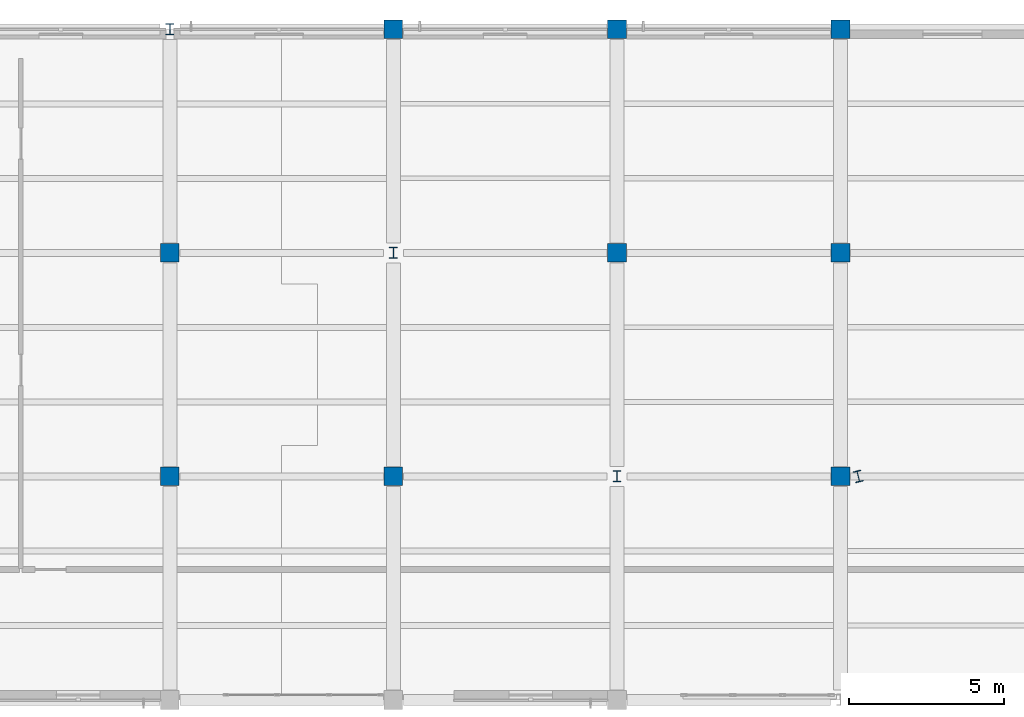
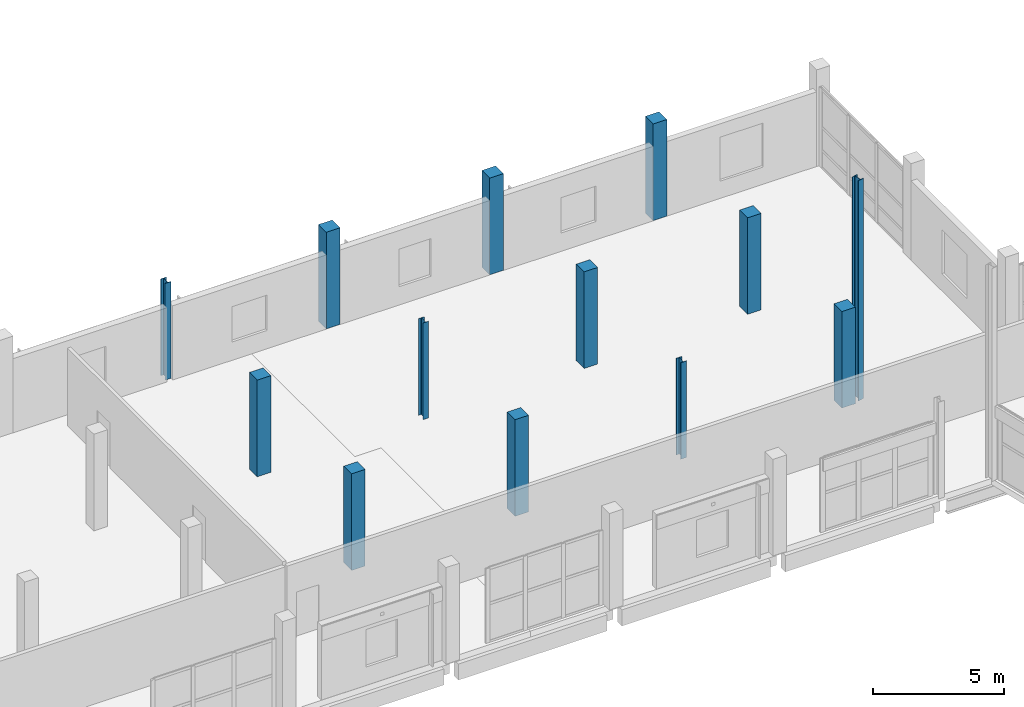
# One storey, part 17 of 123: 13 columns.
"""IFC4 building model written with IfcOpenShell, lengths in metres."""

from ifc_helpers import new_model, si_unit, direction, frame, origin, origin_2d, place, context, subcontext, project, spatial, rectangle, i_section, extrude, material, material_profile, profile_set, type_object, element, save


model = new_model("IFC4")

# Units and contexts
model_context = context("Model", 3, precision=1e-05, world=origin(), true_north=direction((0.0, 1.0)))
body_context = subcontext(model_context, "Body", "Model", "MODEL_VIEW")
ifc_project = project(units=[si_unit("LENGTHUNIT", "METRE"), si_unit("AREAUNIT", "SQUARE_METRE"), si_unit("VOLUMEUNIT", "CUBIC_METRE"), si_unit("PLANEANGLEUNIT", "RADIAN"), si_unit("MASSUNIT", "GRAM", prefix="KILO")], contexts=[model_context])

# Site, building, storey
site_placement = place(None, origin())
site = spatial("IfcSite", under=ifc_project, at=site_placement, CompositionType="ELEMENT")
building_placement = place(site_placement, origin())
building = spatial("IfcBuilding", under=site, at=building_placement, Name="Kalmorath City Hall", CompositionType="ELEMENT")
storey_placement = place(building_placement, frame((0.0, 0.0, 10.199951171875)))
storey = spatial("IfcBuildingStorey", under=building, at=storey_placement, Name="L02", CompositionType="ELEMENT", Elevation=10.199951171875)

# Columns
ifc_material_1 = material(Name="Concrete C50/60", Category="concrete")
ifc_material_profile_1 = material_profile(ifc_material_1, rectangle(XDim=0.60009765625, YDim=0.60009765625, at=origin_2d()), Name="RC-COL-600X600")
ifc_profile_set_1 = profile_set([ifc_material_profile_1], Name="Concrete C50/60")
column_type_1 = type_object("IfcColumnType", Name="Concrete column 600x600", PredefinedType="COLUMN", material=ifc_profile_set_1)
for number, where, z_axis, x_axis, name in (
    (1, (100.800048828125, 100.800048828125, 0.0), (0.0, 0.0, 1.0), (1.0, 0.0, 0.0), "L02 column C6 (15/15)"),
    (2, (100.800048828125, 108.0, 0.0), (0.0, 0.0, 1.0), (1.0, 0.0, 0.0), "L02 column C6 (15/16)"),
    (3, (108.0, 100.800048828125, 0.0), (0.0, 0.0, 1.0), (1.0, 0.0, 0.0), "L02 column C6 (16/15)"),
    (4, (108.0, 115.199951171875, 0.0), (0.0, 0.0, 1.0), (1.0, 0.0, 0.0), "L02 column C6 (16/17)"),
    (5, (115.199951171875, 108.0, 0.0), (0.0, 0.0, 1.0), (1.0, 0.0, 0.0), "L02 column C6 (17/16)"),
    (6, (115.199951171875, 115.199951171875, 0.0), (0.0, 0.0, 1.0), (1.0, 0.0, 0.0), "L02 column C6 (17/17)"),
    (7, (122.39990234375, 100.800048828125, 0.0), (0.0, 0.0, 1.0), (1.0, 0.0, 0.0), "L02 column C6 (18/15)"),
    (8, (122.39990234375, 108.0, 0.0), (0.0, 0.0, 1.0), (1.0, 0.0, 0.0), "L02 column C6 (18/16)"),
    (9, (122.39990234375, 115.199951171875, 0.0), (0.0, 0.0, 1.0), (1.0, 0.0, 0.0), "L02 column C6 (18/17)"),
):
    element("IfcColumn", number, at=place(storey_placement, frame(where, z_axis=z_axis, x_axis=x_axis)), inside=storey, type_object=column_type_1, Name=name, PredefinedType="COLUMN", context=body_context, shape_type="SweptSolid", body=[
        extrude(rectangle(XDim=0.60009765625, YDim=0.60009765625, at=origin_2d()), origin(), (0.0, 0.0, 1.0), 4.5),
    ])
ifc_material_2 = material(Name="Steel ASTM A992 Grade 50", Category="steel")
ifc_material_profile_2 = material_profile(ifc_material_2, i_section(OverallWidth=0.25390625, OverallDepth=0.35302734375, WebThickness=0.009521484375, FlangeThickness=0.016357421875, FilletRadius=0.014892578125, at=origin_2d()), Name="W14X61")
ifc_profile_set_2 = profile_set([ifc_material_profile_2], Name="Steel ASTM A992 Grade 50")
column_type_2 = type_object("IfcColumnType", Name="Steel wide-flange column W14X61", PredefinedType="COLUMN", material=ifc_profile_set_2)
for number, where, z_axis, x_axis, name in (
    (10, (100.800048828125, 115.199951171875, 0.0), (0.0, 0.0, 1.0), (1.0, 0.0, 0.0), "L02 column SC1 (15/17)"),
    (11, (108.0, 108.0, 0.0), (0.0, 0.0, 1.0), (1.0, 0.0, 0.0), "L02 column SC1 (16/16)"),
    (12, (115.199951171875, 100.800048828125, 0.0), (0.0, 0.0, 1.0), (1.0, 0.0, 0.0), "L02 column SC1 (17/15)"),
):
    element("IfcColumn", number, at=place(storey_placement, frame(where, z_axis=z_axis, x_axis=x_axis)), inside=storey, type_object=column_type_2, Name=name, PredefinedType="COLUMN", context=body_context, shape_type="SweptSolid", body=[
        extrude(i_section(OverallWidth=0.25390625, OverallDepth=0.35302734375, WebThickness=0.009521484375, FlangeThickness=0.016357421875, FilletRadius=0.014892578125, at=origin_2d()), origin(), (0.0, 0.0, 1.0), 4.5),
    ])
ifc_material_3 = material(Name="Steel ASTM A992 Grade 50", Category="steel")
ifc_material_profile_3 = material_profile(ifc_material_3, i_section(OverallWidth=0.256103515625, OverallDepth=0.360107421875, WebThickness=0.011474609375, FlangeThickness=0.02001953125, FilletRadius=0.014892578125, at=origin_2d()), Name="W14X74")
ifc_profile_set_3 = profile_set([ifc_material_profile_3], Name="Steel ASTM A992 Grade 50")
column_type_3 = type_object("IfcColumnType", Name="Steel wide-flange column W14X74", PredefinedType="COLUMN", material=ifc_profile_set_3)
column_placement = place(storey_placement, frame((122.971435546875, 100.800048828125, 0.0), z_axis=(0.0, 0.0, 1.0), x_axis=(0.972369920398, 0.233445363856, 0.0)))
element("IfcColumn", 13, at=column_placement, inside=storey, type_object=column_type_3, Name="L02 library splay column SC4-9", PredefinedType="COLUMN", context=body_context, shape_type="SweptSolid", body=[
    extrude(i_section(OverallWidth=0.256103515625, OverallDepth=0.360107421875, WebThickness=0.011474609375, FlangeThickness=0.02001953125, FilletRadius=0.014892578125, at=origin_2d()), origin(), (0.0, 0.0, 1.0), 10.254638671875),
])

save(model, "model.ifc")
